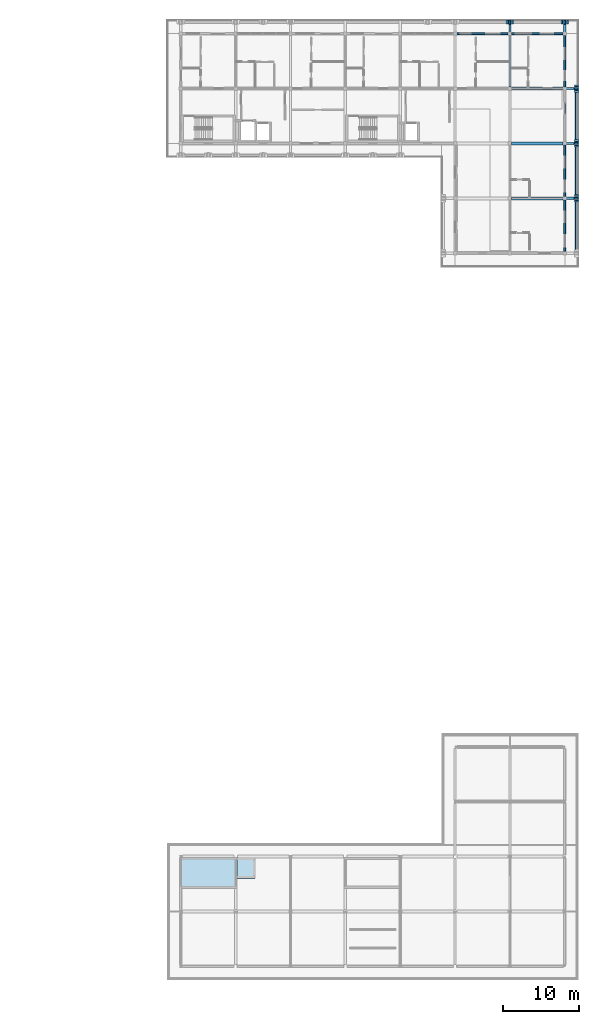
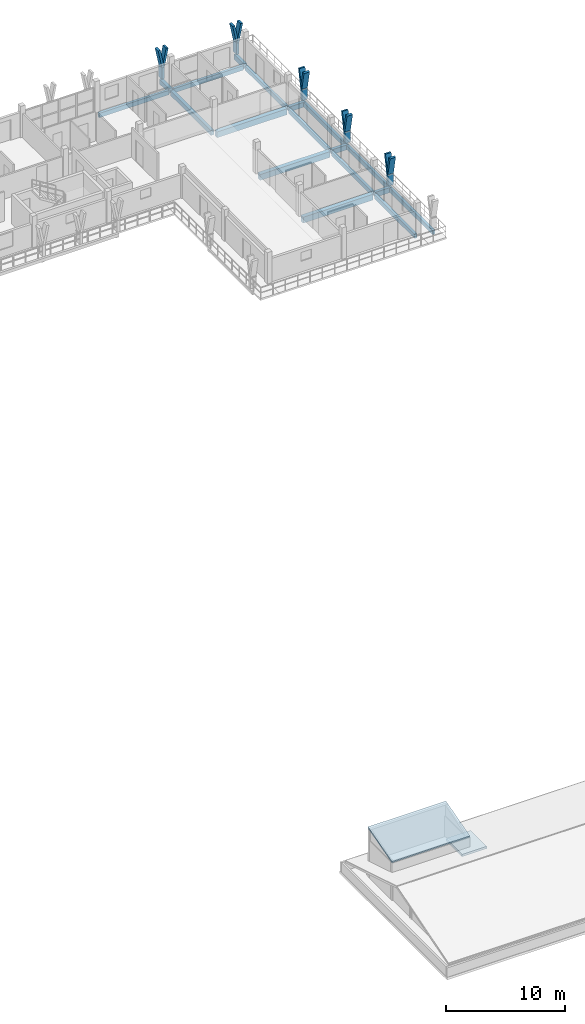
# One storey, part 22 of 45: 16 beams, 15 members, 2 slabs.
"""IFC4 building model written with IfcOpenShell, lengths in metres."""

from ifc_helpers import new_model, si_unit, direction, frame, origin, origin_2d, place, context, subcontext, project, spatial, polyline, rectangle, outline, extrude, material, layer, layer_set, material_profile, profile_set, type_object, element, save


model = new_model("IFC4")

# Units and contexts
model_context = context("Model", 3, precision=1e-05, world=origin(), true_north=direction((0.0, 1.0)))
body_context = subcontext(model_context, "Body", "Model", "MODEL_VIEW")
ifc_project = project(units=[si_unit("LENGTHUNIT", "METRE"), si_unit("AREAUNIT", "SQUARE_METRE"), si_unit("VOLUMEUNIT", "CUBIC_METRE"), si_unit("PLANEANGLEUNIT", "RADIAN"), si_unit("MASSUNIT", "GRAM", prefix="KILO")], contexts=[model_context])

# Site, building, storey
site_placement = place(None, origin())
site = spatial("IfcSite", under=ifc_project, at=site_placement, CompositionType="ELEMENT")
building_placement = place(site_placement, origin())
building = spatial("IfcBuilding", under=site, at=building_placement, Name="Suanplinth Sawtooth Commons", CompositionType="ELEMENT")
storey_placement = place(building_placement, frame((0.0, 0.0, 38.0)))
storey = spatial("IfcBuildingStorey", under=building, at=storey_placement, Name="L11", CompositionType="ELEMENT", Elevation=38.0)

# Beams
ifc_material_1 = material(Name="Precast concrete C40/50", Category="concrete")
ifc_material_profile_1 = material_profile(ifc_material_1, rectangle(XDim=0.39990234375, YDim=0.60009765625, at=origin_2d()), Name="PC-GDR 400x600")
ifc_profile_set_1 = profile_set([ifc_material_profile_1], Name="Precast concrete C40/50")
beam_type_1 = type_object("IfcBeamType", Name="B-05", PredefinedType="USERDEFINED", material=ifc_profile_set_1)
for number, where, z_axis, x_axis, name in (
    (1, (180.22509765625, 100.800048828125, -0.5400390625), (1.0, 0.0, 0.0), (0.0, 1.0, 0.0), "BMX-L11-B-25-14"),
    (2, (180.22509765625, 108.0, -0.5400390625), (1.0, 0.0, 0.0), (0.0, 1.0, 0.0), "BMX-L11-B-25-15"),
    (3, (180.22509765625, 115.199951171875, -0.5400390625), (1.0, 0.0, 0.0), (0.0, 1.0, 0.0), "BMX-L11-B-25-16"),
):
    element("IfcBeam", number, at=place(storey_placement, frame(where, z_axis=z_axis, x_axis=x_axis)), inside=storey, type_object=beam_type_1, Name=name, ObjectType="GIRDER", PredefinedType="USERDEFINED", context=body_context, shape_type="SweptSolid", body=[
        extrude(rectangle(XDim=0.39990234375, YDim=0.60009765625, at=origin_2d()), origin(), (0.0, 0.0, 1.0), 6.75),
    ])
ifc_material_profile_2 = material_profile(ifc_material_1, rectangle(XDim=0.300048828125, YDim=0.5, at=origin_2d()), Name="PC-BM 300x500")
ifc_profile_set_2 = profile_set([ifc_material_profile_2], Name="Precast concrete C40/50")
beam_type_2 = type_object("IfcBeamType", Name="B-07", PredefinedType="BEAM", material=ifc_profile_set_2)
beam_1_placement = place(storey_placement, frame((180.0, 115.425048828125, -0.489990234375), z_axis=(0.0, 1.0, 0.0), x_axis=(-1.0, 0.0, 0.0)))
element("IfcBeam", 4, at=beam_1_placement, inside=storey, type_object=beam_type_2, Name="BMY-L11-B-25-16", PredefinedType="BEAM", context=body_context, shape_type="SweptSolid", body=[
    extrude(rectangle(XDim=0.300048828125, YDim=0.5, at=origin_2d()), origin(), (0.0, 0.0, 1.0), 6.75),
])
for number, where, z_axis, x_axis, name in (
    (5, (180.0, 122.39990234375, -0.429931640625), (0.0, 1.0, 0.0), (-1.0, 0.0, 0.0), "Balcony Outrigger L11-B-N-25"),
    (6, (187.199951171875, 122.39990234375, -0.429931640625), (0.0, 1.0, 0.0), (-1.0, 0.0, 0.0), "Balcony Outrigger L11-B-N-26"),
    (7, (187.199951171875, 100.800048828125, -0.429931640625), (1.0, 0.0, 0.0), (0.0, 1.0, 0.0), "Balcony Outrigger L11-B-E-14"),
    (8, (187.199951171875, 108.0, -0.429931640625), (1.0, 0.0, 0.0), (0.0, 1.0, 0.0), "Balcony Outrigger L11-B-E-15"),
    (9, (187.199951171875, 115.199951171875, -0.429931640625), (1.0, 0.0, 0.0), (0.0, 1.0, 0.0), "Balcony Outrigger L11-B-E-16"),
):
    element("IfcBeam", number, at=place(storey_placement, frame(where, z_axis=z_axis, x_axis=x_axis)), inside=storey, type_object=beam_type_2, Name=name, PredefinedType="BEAM", context=body_context, shape_type="SweptSolid", body=[
        extrude(rectangle(XDim=0.300048828125, YDim=0.5, at=origin_2d()), origin(), (0.0, 0.0, 1.0), 1.64013671875),
    ])
ifc_material_profile_3 = material_profile(ifc_material_1, rectangle(XDim=0.25, YDim=0.449951171875, at=origin_2d()), Name="PC-SP 250x450")
ifc_profile_set_3 = profile_set([ifc_material_profile_3], Name="Precast concrete C40/50")
beam_type_3 = type_object("IfcBeamType", Name="B-09", PredefinedType="SPANDREL", material=ifc_profile_set_3)
for number, where, z_axis, x_axis, name in (
    (10, (173.02490234375, 122.39990234375, -0.465087890625), (1.0, 0.0, 0.0), (0.0, 1.0, 0.0), "BMX-L11-B-24-17"),
    (11, (180.22509765625, 122.39990234375, -0.465087890625), (1.0, 0.0, 0.0), (0.0, 1.0, 0.0), "BMX-L11-B-25-17"),
    (12, (187.199951171875, 93.824951171875, -0.465087890625), (0.0, 1.0, 0.0), (-1.0, 0.0, 0.0), "BMY-L11-B-26-13"),
    (13, (187.199951171875, 101.02490234375, -0.465087890625), (0.0, 1.0, 0.0), (-1.0, 0.0, 0.0), "BMY-L11-B-26-14"),
    (14, (187.199951171875, 108.22509765625, -0.465087890625), (0.0, 1.0, 0.0), (-1.0, 0.0, 0.0), "BMY-L11-B-26-15"),
    (15, (187.199951171875, 115.425048828125, -0.465087890625), (0.0, 1.0, 0.0), (-1.0, 0.0, 0.0), "BMY-L11-B-26-16"),
):
    element("IfcBeam", number, at=place(storey_placement, frame(where, z_axis=z_axis, x_axis=x_axis)), inside=storey, type_object=beam_type_3, Name=name, PredefinedType="SPANDREL", context=body_context, shape_type="SweptSolid", body=[
        extrude(rectangle(XDim=0.25, YDim=0.449951171875, at=origin_2d()), origin(), (0.0, 0.0, 1.0), 6.75),
    ])
beam_2_placement = place(storey_placement, frame((188.719970703125, 93.449951171875, -0.405029296875), z_axis=(0.0, 1.0, 0.0), x_axis=(-1.0, 0.0, 0.0)))
element("IfcBeam", 16, at=beam_2_placement, inside=storey, type_object=beam_type_3, Name="Balcony Edge Fascia L11-B-E", PredefinedType="SPANDREL", context=body_context, shape_type="SweptSolid", body=[
    extrude(rectangle(XDim=0.25, YDim=0.449951171875, at=origin_2d()), origin(), (0.0, 0.0, 1.0), 21.900146484375),
])

# Members
ifc_material_2 = material(Name="Pigmented precast concrete C40/50", Category="concrete")
ifc_material_profile_4 = material_profile(ifc_material_2, rectangle(XDim=0.260009765625, YDim=0.550048828125, at=origin_2d()), Name="PC-FIN 260x550")
ifc_profile_set_4 = profile_set([ifc_material_profile_4], Name="Pigmented precast concrete C40/50")
member_type_1 = type_object("IfcMemberType", Name="M-09", PredefinedType="USERDEFINED", material=ifc_profile_set_4)
for number, where, z_axis, x_axis, name in (
    (17, (180.0, 123.919921875, 0.0), (0.0, 0.0, 1.0), (1.0, 0.0, 0.0), "Y-Blade Stem L11-B-N-07"),
    (18, (187.199951171875, 123.919921875, 0.0), (0.0, 0.0, 1.0), (1.0, 0.0, 0.0), "Y-Blade Stem L11-B-N-08"),
    (19, (188.719970703125, 100.800048828125, 0.0), (0.0, 0.0, 1.0), (0.0, 1.0, 0.0), "Y-Blade Stem L11-B-E-10"),
    (20, (188.719970703125, 108.0, 0.0), (0.0, 0.0, 1.0), (0.0, 1.0, 0.0), "Y-Blade Stem L11-B-E-11"),
    (21, (188.719970703125, 115.199951171875, 0.0), (0.0, 0.0, 1.0), (0.0, 1.0, 0.0), "Y-Blade Stem L11-B-E-12"),
):
    element("IfcMember", number, at=place(storey_placement, frame(where, z_axis=z_axis, x_axis=x_axis)), inside=storey, type_object=member_type_1, Name=name, ObjectType="SHADING FIN", PredefinedType="USERDEFINED", context=body_context, shape_type="SweptSolid", body=[
        extrude(rectangle(XDim=0.260009765625, YDim=0.550048828125, at=origin_2d()), origin(), (0.0, 0.0, 1.0), 1.169921875),
    ])
ifc_material_profile_5 = material_profile(ifc_material_2, rectangle(XDim=0.219970703125, YDim=0.550048828125, at=origin_2d()), Name="PC-FIN 220x550")
ifc_profile_set_5 = profile_set([ifc_material_profile_5], Name="Pigmented precast concrete C40/50")
member_type_2 = type_object("IfcMemberType", Name="M-10", PredefinedType="USERDEFINED", material=ifc_profile_set_5)
for number, where, z_axis, x_axis, name in (
    (22, (180.0, 123.919921875, 1.1298828125), (-0.196406855569, 0.0, 0.980522486782), (0.980522486782, 0.0, 0.196406855569), "Y-Blade Arm L L11-B-N-07"),
    (23, (180.0, 123.919921875, 1.1298828125), (0.196406855569, 0.0, 0.980522486782), (-0.980522486782, 0.0, 0.196406855569), "Y-Blade Arm R L11-B-N-07"),
):
    element("IfcMember", number, at=place(storey_placement, frame(where, z_axis=z_axis, x_axis=x_axis)), inside=storey, type_object=member_type_2, Name=name, ObjectType="SHADING FIN", PredefinedType="USERDEFINED", context=body_context, shape_type="SweptSolid", body=[
        extrude(rectangle(XDim=0.219970703125, YDim=0.550048828125, at=origin_2d()), origin(), (0.0, 0.0, 1.0), 1.93798828125),
    ])
member_1_placement = place(storey_placement, frame((187.199951171875, 123.919921875, 1.1298828125), z_axis=(-0.196285728346, 0.0, 0.980546741796), x_axis=(0.980546741796, 0.0, 0.196285728346)))
element("IfcMember", 24, at=member_1_placement, inside=storey, type_object=member_type_2, Name="Y-Blade Arm L L11-B-N-08", ObjectType="SHADING FIN", PredefinedType="USERDEFINED", context=body_context, shape_type="SweptSolid", body=[
    extrude(rectangle(XDim=0.219970703125, YDim=0.550048828125, at=origin_2d()), origin(), (0.0, 0.0, 1.0), 1.937744140625),
])
for number, where, z_axis, x_axis, name in (
    (25, (187.199951171875, 123.919921875, 1.1298828125), (0.196406855569, 0.0, 0.980522486782), (-0.980522486782, 0.0, 0.196406855569), "Y-Blade Arm R L11-B-N-08"),
    (26, (188.719970703125, 100.800048828125, 1.1298828125), (0.0, -0.196406855569, 0.980522486782), (0.0, 0.980522486782, 0.196406855569), "Y-Blade Arm L L11-B-E-10"),
):
    element("IfcMember", number, at=place(storey_placement, frame(where, z_axis=z_axis, x_axis=x_axis)), inside=storey, type_object=member_type_2, Name=name, ObjectType="SHADING FIN", PredefinedType="USERDEFINED", context=body_context, shape_type="SweptSolid", body=[
        extrude(rectangle(XDim=0.219970703125, YDim=0.550048828125, at=origin_2d()), origin(), (0.0, 0.0, 1.0), 1.93798828125),
    ])
member_2_placement = place(storey_placement, frame((188.719970703125, 100.800048828125, 1.1298828125), z_axis=(0.0, 0.196285728346, 0.980546741796), x_axis=(0.0, -0.980546741796, 0.196285728346)))
element("IfcMember", 27, at=member_2_placement, inside=storey, type_object=member_type_2, Name="Y-Blade Arm R L11-B-E-10", ObjectType="SHADING FIN", PredefinedType="USERDEFINED", context=body_context, shape_type="SweptSolid", body=[
    extrude(rectangle(XDim=0.219970703125, YDim=0.550048828125, at=origin_2d()), origin(), (0.0, 0.0, 1.0), 1.937744140625),
])
for number, where, z_axis, x_axis, name in (
    (28, (188.719970703125, 108.0, 1.1298828125), (0.0, -0.196406855569, 0.980522486782), (0.0, 0.980522486782, 0.196406855569), "Y-Blade Arm L L11-B-E-11"),
    (29, (188.719970703125, 108.0, 1.1298828125), (0.0, 0.196406855569, 0.980522486782), (0.0, -0.980522486782, 0.196406855569), "Y-Blade Arm R L11-B-E-11"),
):
    element("IfcMember", number, at=place(storey_placement, frame(where, z_axis=z_axis, x_axis=x_axis)), inside=storey, type_object=member_type_2, Name=name, ObjectType="SHADING FIN", PredefinedType="USERDEFINED", context=body_context, shape_type="SweptSolid", body=[
        extrude(rectangle(XDim=0.219970703125, YDim=0.550048828125, at=origin_2d()), origin(), (0.0, 0.0, 1.0), 1.93798828125),
    ])
member_3_placement = place(storey_placement, frame((188.719970703125, 115.199951171875, 1.1298828125), z_axis=(0.0, -0.196285728346, 0.980546741796), x_axis=(0.0, 0.980546741796, 0.196285728346)))
element("IfcMember", 30, at=member_3_placement, inside=storey, type_object=member_type_2, Name="Y-Blade Arm L L11-B-E-12", ObjectType="SHADING FIN", PredefinedType="USERDEFINED", context=body_context, shape_type="SweptSolid", body=[
    extrude(rectangle(XDim=0.219970703125, YDim=0.550048828125, at=origin_2d()), origin(), (0.0, 0.0, 1.0), 1.937744140625),
])
member_4_placement = place(storey_placement, frame((188.719970703125, 115.199951171875, 1.1298828125), z_axis=(0.0, 0.196406855569, 0.980522486782), x_axis=(0.0, -0.980522486782, 0.196406855569)))
element("IfcMember", 31, at=member_4_placement, inside=storey, type_object=member_type_2, Name="Y-Blade Arm R L11-B-E-12", ObjectType="SHADING FIN", PredefinedType="USERDEFINED", context=body_context, shape_type="SweptSolid", body=[
    extrude(rectangle(XDim=0.219970703125, YDim=0.550048828125, at=origin_2d()), origin(), (0.0, 0.0, 1.0), 1.93798828125),
])

# Slabs
ifc_material_3 = material(Name="Concrete C40/50", Category="concrete")
ifc_layer_1 = layer(ifc_material_3, 0.22998046875, Name="Reinforced concrete lift overrun roof slab 230mm")
ifc_layer_set_1 = layer_set([ifc_layer_1], Name="Concrete C40/50")
slab_type_1 = type_object("IfcSlabType", Name="S-OR01", PredefinedType="ROOF", material=ifc_layer_set_1)
slab_1_placement = place(storey_placement, frame((0.0, 0.0, 1.050048828125)))
element("IfcSlab", 32, at=slab_1_placement, inside=storey, type_object=slab_type_1, Name="Lift Overrun Roof Slab LF5", PredefinedType="ROOF", context=body_context, shape_type="SweptSolid", body=[
    extrude(outline(polyline([(144.1650390625, 11.550048828125), (146.550048828125, 11.550048828125), (146.550048828125, 14.25), (144.1650390625, 14.25), (144.1650390625, 11.550048828125)])), origin(), (0.0, 0.0, 1.0), 0.22998046875),
])
ifc_material_4 = material(Name="Concrete C35/45", Category="concrete")
ifc_layer_2 = layer(ifc_material_4, 0.159912109375, Name="Market gable & breezeway canopy roof slab 160mm")
ifc_layer_set_2 = layer_set([ifc_layer_2], Name="Concrete C35/45")
slab_type_2 = type_object("IfcSlabType", Name="S-RF03", PredefinedType="ROOF", material=ifc_layer_set_2)
slab_2_placement = place(storey_placement, frame((136.635009765625, 10.235107421875, 3.97998046875), z_axis=(0.0, -0.267806429236, 0.963472737788), x_axis=(1.0, 0.0, 0.0)))
element("IfcSlab", 33, at=slab_2_placement, inside=storey, type_object=slab_type_2, Name="Stair ST-S1 Roof Headhouse Roof", PredefinedType="ROOF", context=body_context, shape_type="SweptSolid", body=[
    extrude(outline(polyline([(0.0, 0.0), (7.530029296875, 0.0), (7.530029296875, 4.182562721498119), (0.0, 4.182562721498119), (0.0, 0.0)])), origin(), (0.0, 0.0, -1.0), 0.159912109375),
])

save(model, "model.ifc")
